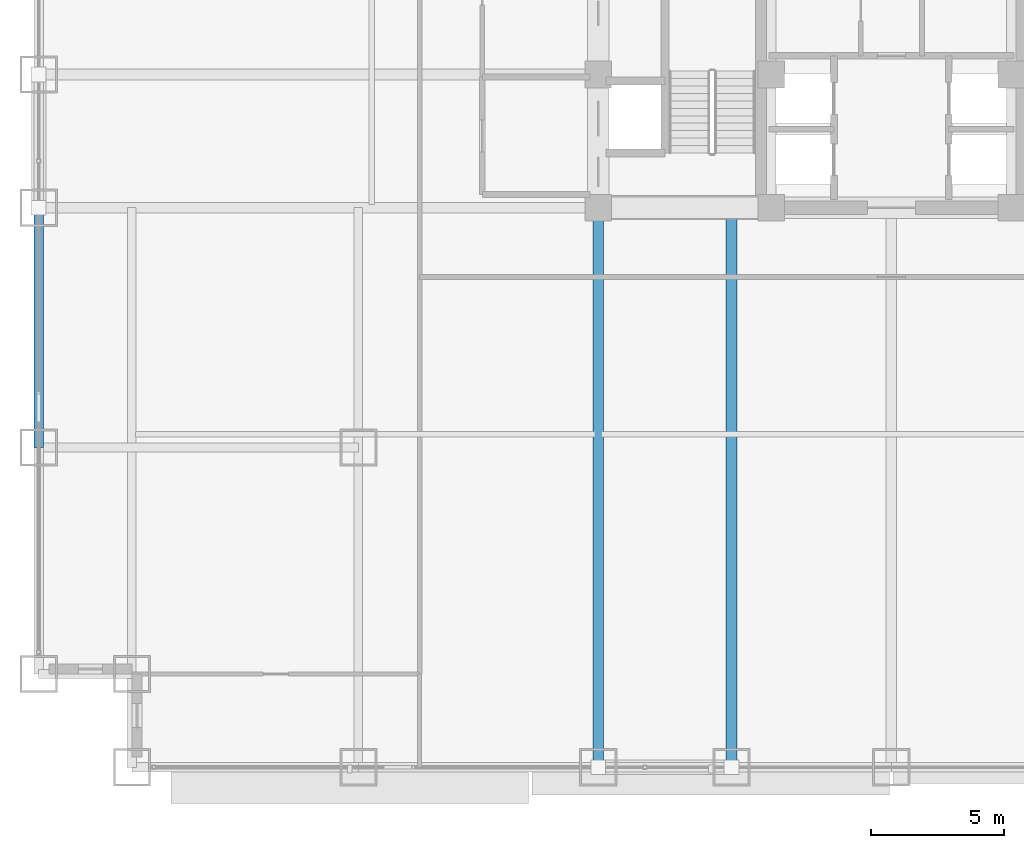
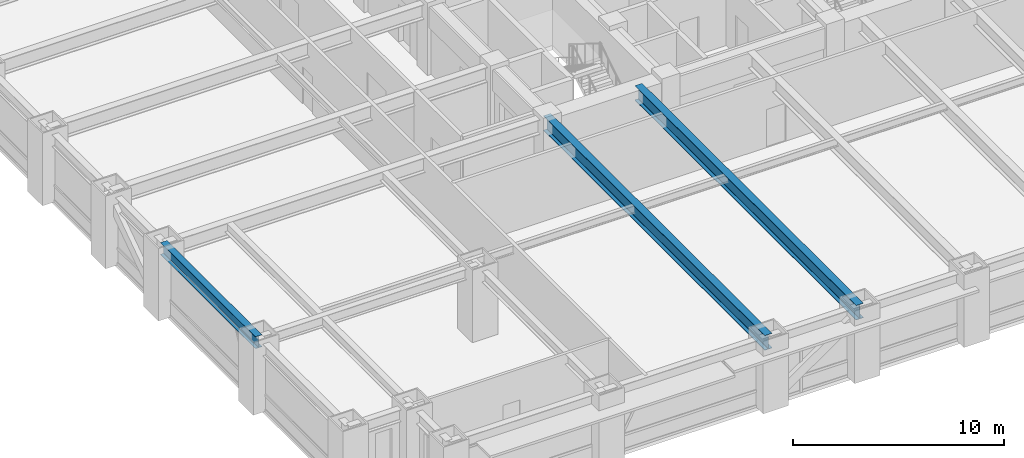
# One storey, part 5 of 31: 3 beams.
"""IFC4 building model written with IfcOpenShell, lengths in metres."""

from ifc_helpers import new_model, si_unit, direction, frame, origin, origin_2d, place, context, subcontext, project, spatial, i_section, extrude, source, transform, mapped, material, material_profile, profile_set, type_object, element, save


model = new_model("IFC4")

# Units and contexts
model_context = context("Model", 3, precision=1e-05, world=origin(), true_north=direction((0.0, 1.0)))
body_context = subcontext(model_context, "Body", "Model", "MODEL_VIEW")
ifc_project = project(units=[si_unit("LENGTHUNIT", "METRE"), si_unit("AREAUNIT", "SQUARE_METRE"), si_unit("VOLUMEUNIT", "CUBIC_METRE"), si_unit("PLANEANGLEUNIT", "RADIAN"), si_unit("MASSUNIT", "GRAM", prefix="KILO")], contexts=[model_context])

# Site, building, storey
site_placement = place(None, origin())
site = spatial("IfcSite", under=ifc_project, at=site_placement, CompositionType="ELEMENT")
building_placement = place(site_placement, origin())
building = spatial("IfcBuilding", under=site, at=building_placement, Name="Khorayat Bourse Tower", CompositionType="ELEMENT")
storey_placement = place(building_placement, frame((0.0, 0.0, 32.60009765625)))
storey = spatial("IfcBuildingStorey", under=building, at=storey_placement, Name="L06", CompositionType="ELEMENT", Elevation=32.60009765625)

# Beams
ifc_material = material(Name="Steel ASTM A992 Grade 50", Category="steel")
ifc_material_profile_1 = material_profile(ifc_material, i_section(OverallWidth=0.35498046875, OverallDepth=0.695068359375, WebThickness=0.015380859375, FlangeThickness=0.02490234375, FilletRadius=0.01806640625, at=origin_2d()), Name="W690X217")
ifc_profile_set_1 = profile_set([ifc_material_profile_1], Name="Steel ASTM A992 Grade 50")
beam_type_1 = type_object("IfcBeamType", Name="BM-SPAN-690", PredefinedType="SPANDREL", material=ifc_profile_set_1)
shared_shape_1 = source(origin(), body_context, "Body", "SweptSolid", [
    extrude(i_section(OverallWidth=0.35498046875, OverallDepth=0.695068359375, WebThickness=0.015380859375, FlangeThickness=0.02490234375, FilletRadius=0.01806640625, at=origin_2d()), origin(), (0.0, 0.0, 1.0), 9.0),
])
beam_placement = place(storey_placement, frame((-32.0, -20.0, 3.59228515625), z_axis=(0.0, 1.0, 0.0), x_axis=(-1.0, 0.0, 0.0)))
element("IfcBeam", 1, at=beam_placement, inside=storey, type_object=beam_type_1, Name="L06 BM-SPAN-690 BM-L06-SPN-060", PredefinedType="SPANDREL", context=body_context, shape_type="MappedRepresentation", body=[
    mapped(shared_shape_1, transform((0.0, 0.0, 0.0), scale=1.0)),
])
ifc_material_profile_2 = material_profile(ifc_material, i_section(OverallWidth=0.39990234375, OverallDepth=0.85498046875, WebThickness=0.018310546875, FlangeThickness=0.029296875, FilletRadius=0.02001953125, at=origin_2d()), Name="W840X299")
ifc_profile_set_2 = profile_set([ifc_material_profile_2], Name="Steel ASTM A992 Grade 50")
beam_type_2 = type_object("IfcBeamType", Name="BM-GIRD-840", PredefinedType="BEAM", material=ifc_profile_set_2)
shared_shape_2 = source(origin(), body_context, "Body", "SweptSolid", [
    extrude(i_section(OverallWidth=0.39990234375, OverallDepth=0.85498046875, WebThickness=0.018310546875, FlangeThickness=0.029296875, FilletRadius=0.02001953125, at=origin_2d()), origin(), (0.0, 0.0, 1.0), 21.0),
])
for number, where, z_axis, x_axis, name in (
    (2, (-11.0, -32.0, 3.512451171875), (0.0, 1.0, 0.0), (-1.0, 0.0, 0.0), "L06 BM-GIRD-840 BM-L06-RADY-065"),
    (3, (-6.0, -32.0, 3.512451171875), (0.0, 1.0, 0.0), (-1.0, 0.0, 0.0), "L06 BM-GIRD-840 BM-L06-RADY-067"),
):
    element("IfcBeam", number, at=place(storey_placement, frame(where, z_axis=z_axis, x_axis=x_axis)), inside=storey, type_object=beam_type_2, Name=name, PredefinedType="BEAM", context=body_context, shape_type="MappedRepresentation", body=[
        mapped(shared_shape_2, transform((0.0, 0.0, 0.0), scale=1.0)),
    ])

save(model, "model.ifc")
